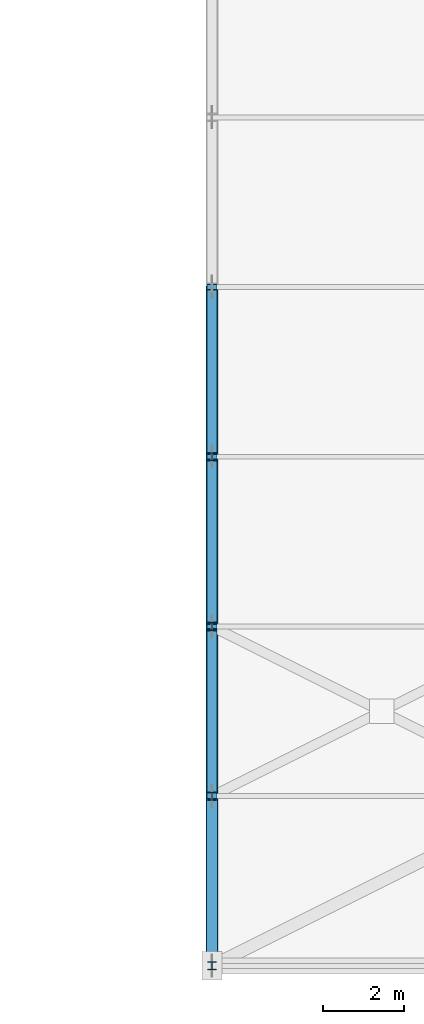
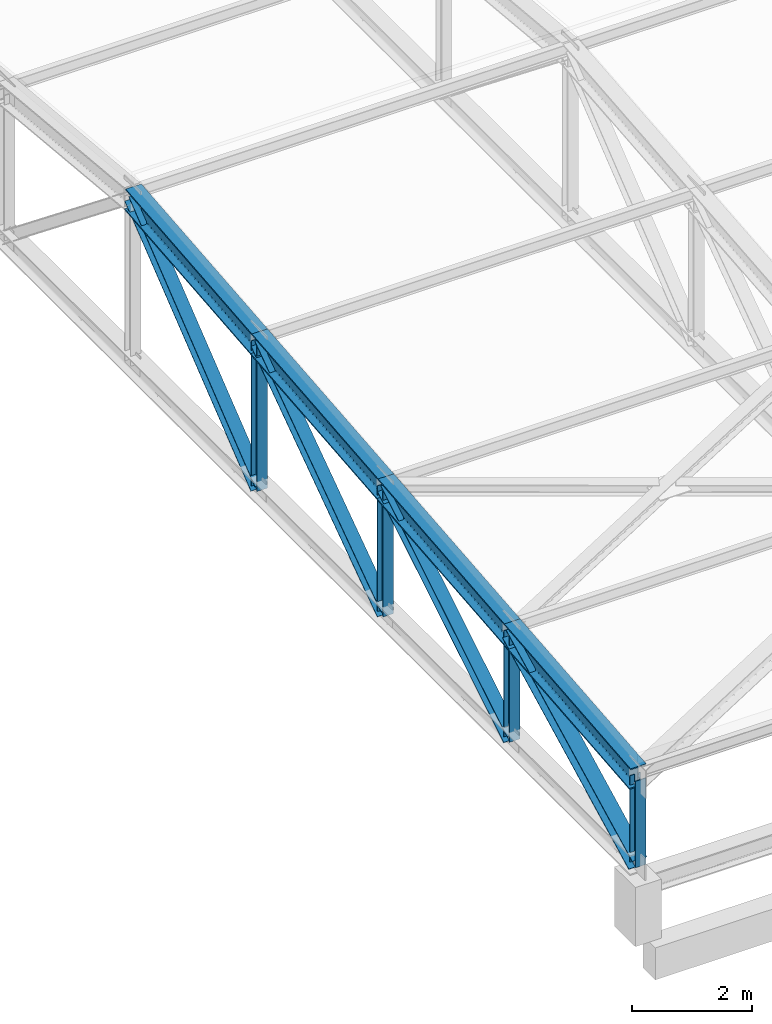
# One storey, part 2 of 74: 8 members, 4 beams.
"""IFC4 building model written with IfcOpenShell, lengths in metres."""

from ifc_helpers import new_model, si_unit, derived_unit, direction, frame, origin, origin_2d, place, context, subcontext, project, spatial, i_section, extrude, material, material_profile, profile_set, type_object, element, save


model = new_model("IFC4")

# Units and contexts
model_context = context("Model", 3, precision=1e-05, world=origin(), true_north=direction((0.0, 1.0)))
body_context = subcontext(model_context, "Body", "Model", "MODEL_VIEW")
ifc_project = project(units=[si_unit("LENGTHUNIT", "METRE"), si_unit("AREAUNIT", "SQUARE_METRE"), si_unit("VOLUMEUNIT", "CUBIC_METRE"), si_unit("PLANEANGLEUNIT", "RADIAN"), si_unit("MASSUNIT", "GRAM", prefix="KILO"), derived_unit("THERMALTRANSMITTANCEUNIT", [(si_unit("POWERUNIT", "WATT"), 1), (si_unit("LENGTHUNIT", "METRE"), -2), (si_unit("THERMODYNAMICTEMPERATUREUNIT", "KELVIN"), -1)])], contexts=[model_context])

# Site, building, storey
site_placement = place(None, origin())
site = spatial("IfcSite", under=ifc_project, at=site_placement, CompositionType="ELEMENT")
building_placement = place(site_placement, origin())
building = spatial("IfcBuilding", under=site, at=building_placement, Name="Elbkamm Science Centre", CompositionType="ELEMENT")
storey_placement = place(building_placement, frame((0.0, 0.0, 14.39990234375)))
storey = spatial("IfcBuildingStorey", under=building, at=storey_placement, Name="L03", CompositionType="ELEMENT", Elevation=14.39990234375)

# Beams
ifc_material = material(Name="Steel EN 10025-2 S355J2", Category="steel")
ifc_material_profile_1 = material_profile(ifc_material, i_section(OverallWidth=0.300048828125, OverallDepth=0.449951171875, WebThickness=0.013916015625, FlangeThickness=0.02587890625, FilletRadius=0.027099609375, at=origin_2d()), Name="HEB 450")
ifc_profile_set_1 = profile_set([ifc_material_profile_1], Name="Steel EN 10025-2 S355J2")
beam_type = type_object("IfcBeamType", Name="BM-STL-HEB450", PredefinedType="BEAM", material=ifc_profile_set_1)
for number, where, z_axis, x_axis, name in (
    (1, (67.199951171875, 0.0, 3.156982421875), (0.0, 0.995562844443, 0.094099005119), (-1.0, 0.0, 0.0), "Theatre Steel Truss 01 Top Chord 1"),
    (2, (67.199951171875, 4.199951171875, 3.553955078125), (0.0, 0.995557421336, 0.094156363687), (-1.0, 0.0, 0.0), "Theatre Steel Truss 01 Top Chord 2"),
):
    element("IfcBeam", number, at=place(storey_placement, frame(where, z_axis=z_axis, x_axis=x_axis)), inside=storey, type_object=beam_type, Name=name, PredefinedType="BEAM", context=body_context, shape_type="SweptSolid", body=[
        extrude(i_section(OverallWidth=0.300048828125, OverallDepth=0.449951171875, WebThickness=0.013916015625, FlangeThickness=0.02587890625, FilletRadius=0.027099609375, at=origin_2d()), origin(), (0.0, 0.0, 1.0), 4.21875),
    ])
beam_1_placement = place(storey_placement, frame((67.199951171875, 8.39990234375, 3.951171875), z_axis=(0.0, 0.995563356829, 0.094093583946), x_axis=(-1.0, 0.0, 0.0)))
element("IfcBeam", 3, at=beam_1_placement, inside=storey, type_object=beam_type, Name="Theatre Steel Truss 01 Top Chord 3", PredefinedType="BEAM", context=body_context, shape_type="SweptSolid", body=[
    extrude(i_section(OverallWidth=0.300048828125, OverallDepth=0.449951171875, WebThickness=0.013916015625, FlangeThickness=0.02587890625, FilletRadius=0.027099609375, at=origin_2d()), origin(), (0.0, 0.0, 1.0), 4.218994140625),
])
beam_2_placement = place(storey_placement, frame((67.199951171875, 12.60009765625, 4.34814453125), z_axis=(0.0, 0.995562844443, 0.094099005119), x_axis=(-1.0, 0.0, 0.0)))
element("IfcBeam", 4, at=beam_2_placement, inside=storey, type_object=beam_type, Name="Theatre Steel Truss 01 Top Chord 4", PredefinedType="BEAM", context=body_context, shape_type="SweptSolid", body=[
    extrude(i_section(OverallWidth=0.300048828125, OverallDepth=0.449951171875, WebThickness=0.013916015625, FlangeThickness=0.02587890625, FilletRadius=0.027099609375, at=origin_2d()), origin(), (0.0, 0.0, 1.0), 4.21875),
])

# Members
ifc_material_profile_2 = material_profile(ifc_material, i_section(OverallWidth=0.239990234375, OverallDepth=0.22998046875, WebThickness=0.007568359375, FlangeThickness=0.011962890625, FilletRadius=0.02099609375, at=origin_2d()), Name="HEA 240")
ifc_profile_set_2 = profile_set([ifc_material_profile_2], Name="Steel EN 10025-2 S355J2")
member_type_1 = type_object("IfcMemberType", Name="MEM-BRACE-HEA240", PredefinedType="BRACE", material=ifc_profile_set_2)
member_1_placement = place(storey_placement, frame((67.199951171875, 4.199951171875, 1.400146484375), z_axis=(0.0, 0.854692256273, 0.519134998884), x_axis=(-1.0, 0.0, 0.0)))
element("IfcMember", 5, at=member_1_placement, inside=storey, type_object=member_type_1, Name="Theatre Steel Truss 01 Diagonal Brace 2", PredefinedType="BRACE", context=body_context, shape_type="SweptSolid", body=[
    extrude(i_section(OverallWidth=0.239990234375, OverallDepth=0.22998046875, WebThickness=0.007568359375, FlangeThickness=0.011962890625, FilletRadius=0.02099609375, at=origin_2d()), origin(), (0.0, 0.0, 1.0), 4.9140625),
])
member_2_placement = place(storey_placement, frame((67.199951171875, 8.39990234375, 1.400146484375), z_axis=(0.0, 0.818511556226, 0.574490062859), x_axis=(-1.0, 0.0, 0.0)))
element("IfcMember", 6, at=member_2_placement, inside=storey, type_object=member_type_1, Name="Theatre Steel Truss 01 Diagonal Brace 3", PredefinedType="BRACE", context=body_context, shape_type="SweptSolid", body=[
    extrude(i_section(OverallWidth=0.239990234375, OverallDepth=0.22998046875, WebThickness=0.007568359375, FlangeThickness=0.011962890625, FilletRadius=0.02099609375, at=origin_2d()), origin(), (0.0, 0.0, 1.0), 5.131591796875),
])
member_3_placement = place(storey_placement, frame((67.199951171875, 12.60009765625, 1.400146484375), z_axis=(0.0, 0.782228850419, 0.62299119221), x_axis=(-1.0, 0.0, 0.0)))
element("IfcMember", 7, at=member_3_placement, inside=storey, type_object=member_type_1, Name="Theatre Steel Truss 01 Diagonal Brace 4", PredefinedType="BRACE", context=body_context, shape_type="SweptSolid", body=[
    extrude(i_section(OverallWidth=0.239990234375, OverallDepth=0.22998046875, WebThickness=0.007568359375, FlangeThickness=0.011962890625, FilletRadius=0.02099609375, at=origin_2d()), origin(), (0.0, 0.0, 1.0), 5.369140625),
])
ifc_material_profile_3 = material_profile(ifc_material, i_section(OverallWidth=0.280029296875, OverallDepth=0.27001953125, WebThickness=0.008056640625, FlangeThickness=0.012939453125, FilletRadius=0.02392578125, at=origin_2d()), Name="HEA 280")
ifc_profile_set_3 = profile_set([ifc_material_profile_3], Name="Steel EN 10025-2 S355J2")
member_type_2 = type_object("IfcMemberType", Name="MEM-BRACE-HEA280", PredefinedType="BRACE", material=ifc_profile_set_3)
member_4_placement = place(storey_placement, frame((67.199951171875, 0.0, 1.400146484375), z_axis=(0.0, 0.889818539845, 0.456314547376), x_axis=(-1.0, 0.0, 0.0)))
element("IfcMember", 8, at=member_4_placement, inside=storey, type_object=member_type_2, Name="Theatre Steel Truss 01 Diagonal Brace 1", PredefinedType="BRACE", context=body_context, shape_type="SweptSolid", body=[
    extrude(i_section(OverallWidth=0.280029296875, OverallDepth=0.27001953125, WebThickness=0.008056640625, FlangeThickness=0.012939453125, FilletRadius=0.02392578125, at=origin_2d()), origin(), (0.0, 0.0, 1.0), 4.719970703125),
])
ifc_material_profile_4 = material_profile(ifc_material, i_section(OverallWidth=0.199951171875, OverallDepth=0.199951171875, WebThickness=0.009033203125, FlangeThickness=0.014892578125, FilletRadius=0.01806640625, at=origin_2d()), Name="HEB 200")
ifc_profile_set_4 = profile_set([ifc_material_profile_4], Name="Steel EN 10025-2 S355J2")
member_type_3 = type_object("IfcMemberType", Name="MEM-STRUT-HEB200", PredefinedType="STRUT", material=ifc_profile_set_4)
member_5_placement = place(storey_placement, frame((67.199951171875, 0.0, 1.400146484375), z_axis=(0.0, 0.0, 1.0), x_axis=(1.0, 0.0, 0.0)))
element("IfcMember", 9, at=member_5_placement, inside=storey, type_object=member_type_3, Name="Theatre Steel Truss 01 Vertical Strut 1", PredefinedType="STRUT", context=body_context, shape_type="SweptSolid", body=[
    extrude(i_section(OverallWidth=0.199951171875, OverallDepth=0.199951171875, WebThickness=0.009033203125, FlangeThickness=0.014892578125, FilletRadius=0.01806640625, at=origin_2d()), origin(), (0.0, 0.0, 1.0), 1.7568359375),
])
member_6_placement = place(storey_placement, frame((67.199951171875, 4.199951171875, 1.400146484375), z_axis=(0.0, 0.0, 1.0), x_axis=(1.0, 0.0, 0.0)))
element("IfcMember", 10, at=member_6_placement, inside=storey, type_object=member_type_3, Name="Theatre Steel Truss 01 Vertical Strut 2", PredefinedType="STRUT", context=body_context, shape_type="SweptSolid", body=[
    extrude(i_section(OverallWidth=0.199951171875, OverallDepth=0.199951171875, WebThickness=0.009033203125, FlangeThickness=0.014892578125, FilletRadius=0.01806640625, at=origin_2d()), origin(), (0.0, 0.0, 1.0), 2.15380859375),
])
member_7_placement = place(storey_placement, frame((67.199951171875, 8.39990234375, 1.400146484375), z_axis=(0.0, 0.0, 1.0), x_axis=(1.0, 0.0, 0.0)))
element("IfcMember", 11, at=member_7_placement, inside=storey, type_object=member_type_3, Name="Theatre Steel Truss 01 Vertical Strut 3", PredefinedType="STRUT", context=body_context, shape_type="SweptSolid", body=[
    extrude(i_section(OverallWidth=0.199951171875, OverallDepth=0.199951171875, WebThickness=0.009033203125, FlangeThickness=0.014892578125, FilletRadius=0.01806640625, at=origin_2d()), origin(), (0.0, 0.0, 1.0), 2.551025390625),
])
member_8_placement = place(storey_placement, frame((67.199951171875, 12.60009765625, 1.400146484375), z_axis=(0.0, 0.0, 1.0), x_axis=(1.0, 0.0, 0.0)))
element("IfcMember", 12, at=member_8_placement, inside=storey, type_object=member_type_3, Name="Theatre Steel Truss 01 Vertical Strut 4", PredefinedType="STRUT", context=body_context, shape_type="SweptSolid", body=[
    extrude(i_section(OverallWidth=0.199951171875, OverallDepth=0.199951171875, WebThickness=0.009033203125, FlangeThickness=0.014892578125, FilletRadius=0.01806640625, at=origin_2d()), origin(), (0.0, 0.0, 1.0), 2.947998046875),
])

save(model, "model.ifc")
